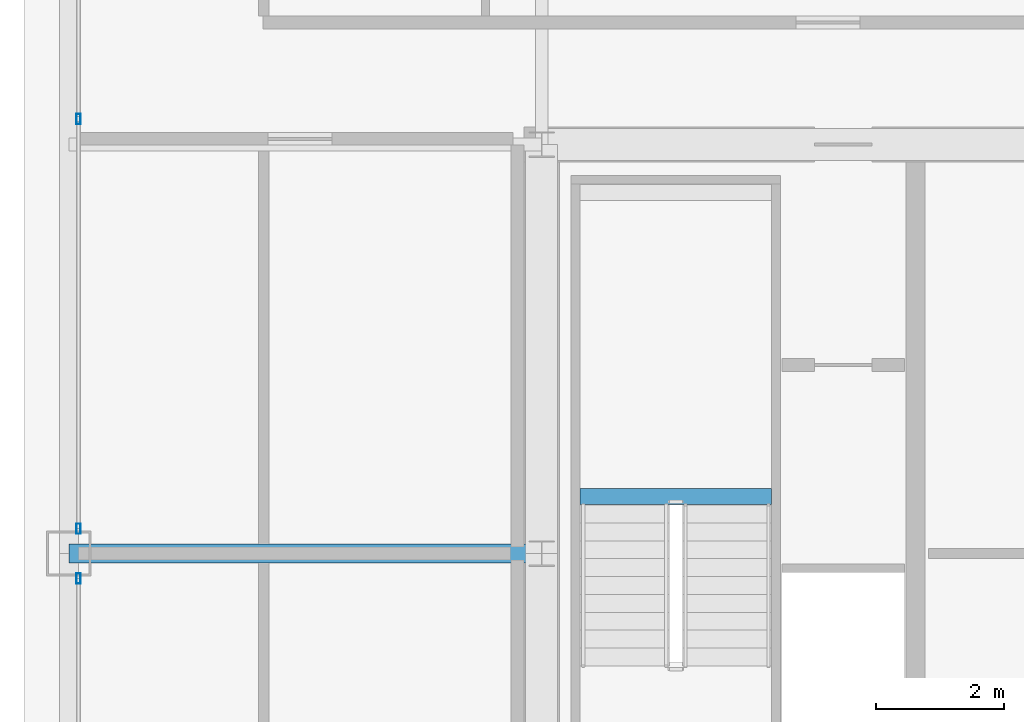
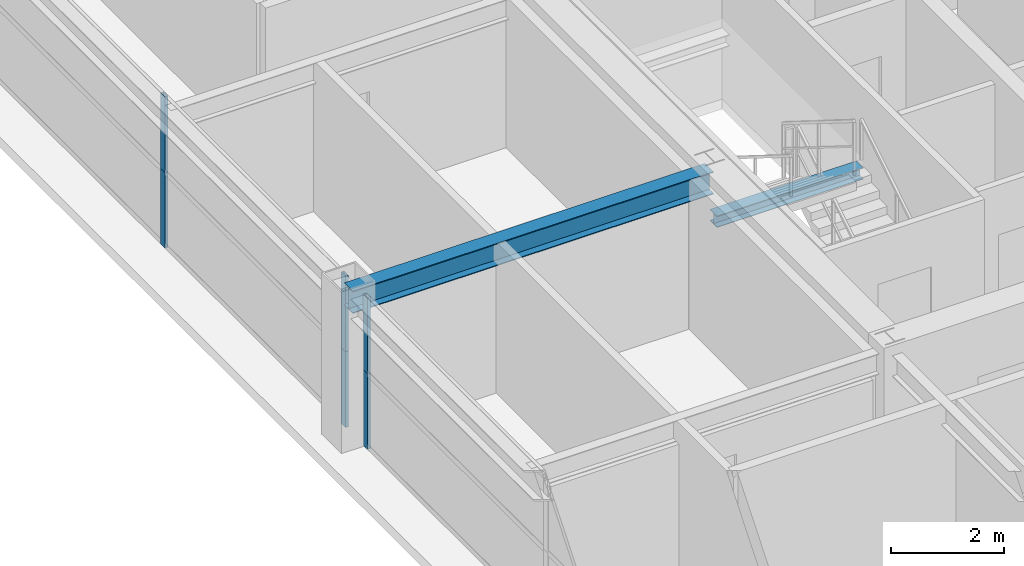
# One storey, part 13 of 36: 6 members, 2 beams, 2 elements without a shape of their own.
"""IFC4 building model written with IfcOpenShell, lengths in metres."""

from ifc_helpers import new_model, si_unit, direction, frame, origin, origin_2d, place, context, subcontext, project, spatial, hollow_rectangle, i_section, extrude, source, transform, mapped, material, layer, layer_set, material_profile, profile_set, type_object, element, aggregate, save


model = new_model("IFC4")

# Units and contexts
model_context = context("Model", 3, precision=1e-05, world=origin(), true_north=direction((0.0, 1.0)))
body_context = subcontext(model_context, "Body", "Model", "MODEL_VIEW")
ifc_project = project(units=[si_unit("LENGTHUNIT", "METRE"), si_unit("AREAUNIT", "SQUARE_METRE"), si_unit("VOLUMEUNIT", "CUBIC_METRE"), si_unit("PLANEANGLEUNIT", "RADIAN"), si_unit("MASSUNIT", "GRAM", prefix="KILO"), si_unit("THERMODYNAMICTEMPERATUREUNIT", "KELVIN"), si_unit("POWERUNIT", "WATT")], contexts=[model_context])

# Site, building, storey
site_placement = place(None, origin())
site = spatial("IfcSite", under=ifc_project, at=site_placement, CompositionType="ELEMENT")
building_placement = place(site_placement, origin())
building = spatial("IfcBuilding", under=site, at=building_placement, Name="Yuzanri Waterfront Tower", CompositionType="ELEMENT")
storey_placement = place(building_placement, frame((0.0, 0.0, 224.10009765625)))
storey = spatial("IfcBuildingStorey", under=building, at=storey_placement, Name="L59", CompositionType="ELEMENT", Elevation=224.10009765625)

# Beam
ifc_material_1 = material(Name="Steel Q355B", Category="steel")
ifc_material_profile_1 = material_profile(ifc_material_1, i_section(OverallWidth=0.300048828125, OverallDepth=0.488037109375, WebThickness=0.010986328125, FlangeThickness=0.01806640625, at=origin_2d()), Name="HM 488x300x11x18")
ifc_profile_set_1 = profile_set([ifc_material_profile_1], Name="Steel Q355B")
beam_type_1 = type_object("IfcBeamType", Name="Primary Floor Girder Q355B HM 488x300", PredefinedType="BEAM", material=ifc_profile_set_1)
shared_shape_1 = source(origin(), body_context, "Body", "SweptSolid", [
    extrude(i_section(OverallWidth=0.300048828125, OverallDepth=0.488037109375, WebThickness=0.010986328125, FlangeThickness=0.01806640625, at=origin_2d()), origin(), (0.0, 0.0, 1.0), 7.400146484375),
])
beam_1_placement = place(storey_placement, frame((23.800048828125, 25.800048828125, 3.035888671875), z_axis=(-1.0, 0.0, 0.0), x_axis=(0.0, -1.0, 0.0)))
element("IfcBeam", 1, at=beam_1_placement, inside=storey, type_object=beam_type_1, Name="L59 West Grid Girder", PredefinedType="BEAM", context=body_context, shape_type="MappedRepresentation", body=[
    mapped(shared_shape_1, transform((0.0, 0.0, 0.0), scale=1.0)),
])

# Curtain wall, members
ifc_material_2 = material(Name="Anodized Architectural Bronze", Category="metal")
ifc_layer = layer(ifc_material_2, 0.159912109375)
ifc_layer_set = layer_set([ifc_layer], Name="Anodized Architectural Bronze")
curtain_wall_type = type_object("IfcCurtainWallType", Name="Anodized Bronze Mid-Rise Residential Acoustic Unitized Curtain Wall 7200", PredefinedType="NOTDEFINED", material=ifc_layer_set)
curtain_wall_1_placement = place(storey_placement, origin())
curtain_wall_1 = element("IfcCurtainWall", 2, at=curtain_wall_1_placement, inside=storey, type_object=curtain_wall_type, Name="L59 Curtain Wall CW-L59-WL", PredefinedType="NOTDEFINED")
ifc_material_3 = material(Name="Anodized Architectural Bronze", Category="metal")
ifc_material_profile_2 = material_profile(ifc_material_3, hollow_rectangle(XDim=0.06494140625, YDim=0.159912109375, WallThickness=0.00341796875, at=origin_2d()), Name="CWM 65x160")
ifc_profile_set_2 = profile_set([ifc_material_profile_2], Name="Anodized Architectural Bronze")
member_type = type_object("IfcMemberType", Name="Anodized Bronze Upper-Zone Curtain-Wall Mullion 65x160", PredefinedType="MULLION", material=ifc_profile_set_2)
shared_shape_2 = source(origin(), body_context, "Body", "SweptSolid", [
    extrude(hollow_rectangle(XDim=0.06494140625, YDim=0.159912109375, WallThickness=0.00341796875, at=origin_2d()), origin(), (0.0, 0.0, 1.0), 1.637939453125),
])
member_1_placement = place(storey_placement, frame((16.550048828125, 25.409912109375, 0.0), z_axis=(0.0, 0.0, 1.0), x_axis=(1.0, 0.0, 0.0)))
member_1 = element("IfcMember", 3, at=member_1_placement, type_object=member_type, Name="CW-L59-WL Lower Mullion 02", PredefinedType="MULLION", context=body_context, shape_type="MappedRepresentation", body=[
    mapped(shared_shape_2, transform((0.0, 0.0, 0.0), scale=1.0)),
])
member_2_placement = place(storey_placement, frame((16.550048828125, 25.409912109375, 1.641845703125), z_axis=(0.0, 0.0, 1.0), x_axis=(1.0, 0.0, 0.0)))
member_2 = element("IfcMember", 4, at=member_2_placement, type_object=member_type, Name="CW-L59-WL Upper Mullion 02", PredefinedType="MULLION", context=body_context, shape_type="MappedRepresentation", body=[
    mapped(shared_shape_2, transform((0.0, 0.0, 0.0), scale=1.0)),
])
aggregate(curtain_wall_1, [member_1, member_2])

curtain_wall_2_placement = place(storey_placement, origin())
curtain_wall_2 = element("IfcCurtainWall", 5, at=curtain_wall_2_placement, inside=storey, type_object=curtain_wall_type, Name="L59 Curtain Wall CW-L59-WR", PredefinedType="NOTDEFINED")
member_3_placement = place(storey_placement, frame((16.550048828125, 26.18994140625, 0.0), z_axis=(0.0, 0.0, 1.0), x_axis=(1.0, 0.0, 0.0)))
member_3 = element("IfcMember", 6, at=member_3_placement, type_object=member_type, Name="CW-L59-WR Lower Mullion 00", PredefinedType="MULLION", context=body_context, shape_type="MappedRepresentation", body=[
    mapped(shared_shape_2, transform((0.0, 0.0, 0.0), scale=1.0)),
])
member_4_placement = place(storey_placement, frame((16.550048828125, 26.18994140625, 1.641845703125), z_axis=(0.0, 0.0, 1.0), x_axis=(1.0, 0.0, 0.0)))
member_4 = element("IfcMember", 7, at=member_4_placement, type_object=member_type, Name="CW-L59-WR Upper Mullion 00", PredefinedType="MULLION", context=body_context, shape_type="MappedRepresentation", body=[
    mapped(shared_shape_2, transform((0.0, 0.0, 0.0), scale=1.0)),
])
member_5_placement = place(storey_placement, frame((16.550048828125, 32.60009765625, 0.0), z_axis=(0.0, 0.0, 1.0), x_axis=(1.0, 0.0, 0.0)))
member_5 = element("IfcMember", 8, at=member_5_placement, type_object=member_type, Name="CW-L59-WR Lower Mullion 01", PredefinedType="MULLION", context=body_context, shape_type="MappedRepresentation", body=[
    mapped(shared_shape_2, transform((0.0, 0.0, 0.0), scale=1.0)),
])
member_6_placement = place(storey_placement, frame((16.550048828125, 32.60009765625, 1.641845703125), z_axis=(0.0, 0.0, 1.0), x_axis=(1.0, 0.0, 0.0)))
member_6 = element("IfcMember", 9, at=member_6_placement, type_object=member_type, Name="CW-L59-WR Upper Mullion 01", PredefinedType="MULLION", context=body_context, shape_type="MappedRepresentation", body=[
    mapped(shared_shape_2, transform((0.0, 0.0, 0.0), scale=1.0)),
])
aggregate(curtain_wall_2, [member_3, member_4, member_5, member_6])

# Beam
ifc_material_4 = material(Name="Steel Q355B", Category="steel")
ifc_material_profile_3 = material_profile(ifc_material_4, i_section(OverallWidth=0.25, OverallDepth=0.25, WebThickness=0.009033203125, FlangeThickness=0.013916015625, at=origin_2d()), Name="HW 250x250x9x14")
ifc_profile_set_3 = profile_set([ifc_material_profile_3], Name="Steel Q355B")
beam_type_2 = type_object("IfcBeamType", Name="Stair Landing Support Beam Q355B HW 250x250", PredefinedType="BEAM", material=ifc_profile_set_3)
shared_shape_3 = source(origin(), body_context, "Body", "SweptSolid", [
    extrude(i_section(OverallWidth=0.25, OverallDepth=0.25, WebThickness=0.009033203125, FlangeThickness=0.013916015625, at=origin_2d()), origin(), (0.0, 0.0, 1.0), 3.0),
])
beam_2_placement = place(storey_placement, frame((24.39990234375, 26.68994140625, 1.4248046875), z_axis=(1.0, 0.0, 0.0), x_axis=(0.0, 1.0, 0.0)))
element("IfcBeam", 10, at=beam_2_placement, inside=storey, type_object=beam_type_2, Name="L59 Stair Landing Support Beam ST-01-L59-L1-1", PredefinedType="BEAM", context=body_context, shape_type="MappedRepresentation", body=[
    mapped(shared_shape_3, transform((0.0, 0.0, 0.0), scale=1.0)),
])

save(model, "model.ifc")
